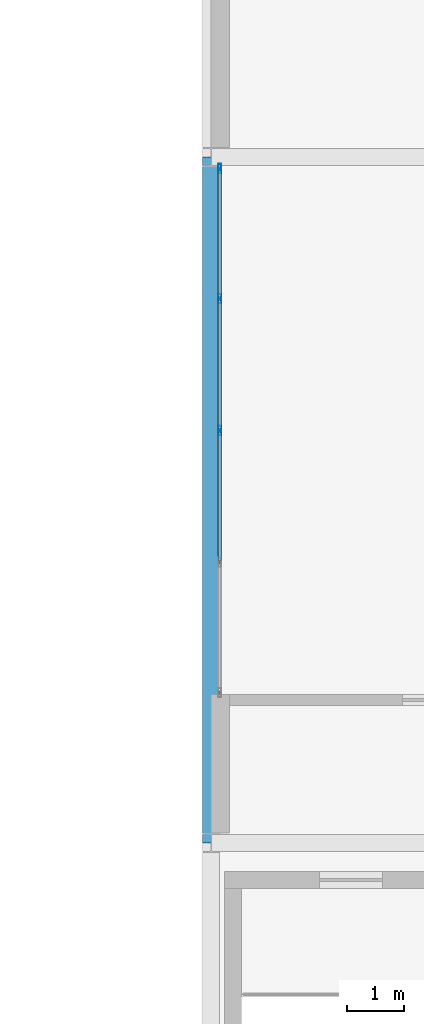
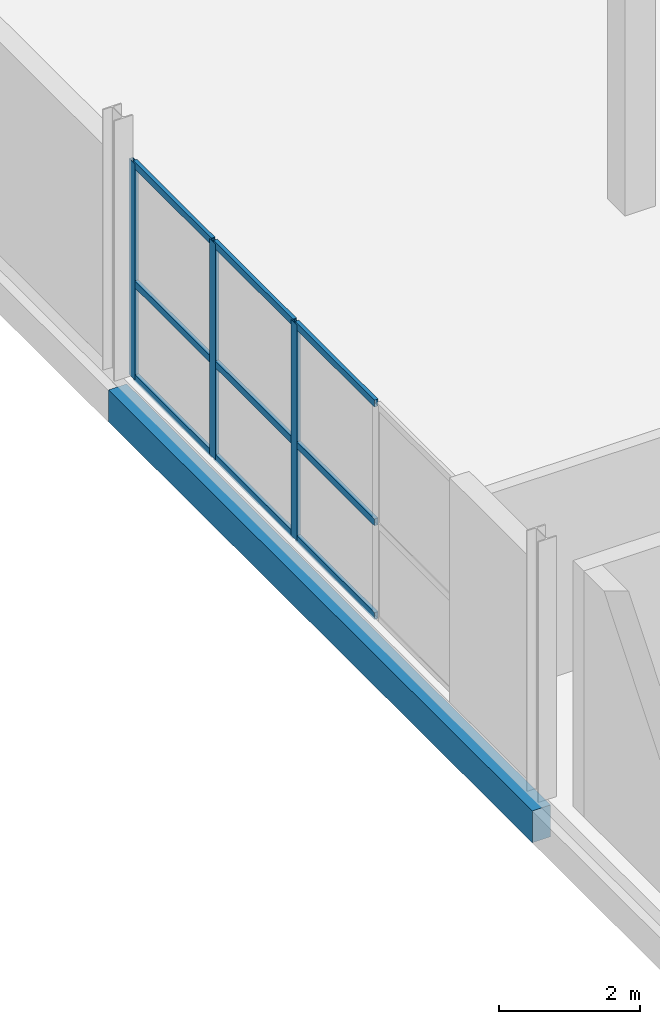
# One storey, part 59 of 103: 12 members, 1 beam, 1 element without a shape of its own.
"""IFC4 building model written with IfcOpenShell, lengths in metres."""

from ifc_helpers import new_model, si_unit, direction, frame, origin, origin_2d, place, context, subcontext, project, spatial, rectangle, hollow_rectangle, extrude, material, material_profile, profile_set, type_object, element, aggregate, save


model = new_model("IFC4")

# Units and contexts
model_context = context("Model", 3, precision=1e-05, world=origin(), true_north=direction((0.0, 1.0)))
body_context = subcontext(model_context, "Body", "Model", "MODEL_VIEW")
ifc_project = project(units=[si_unit("LENGTHUNIT", "METRE"), si_unit("AREAUNIT", "SQUARE_METRE"), si_unit("VOLUMEUNIT", "CUBIC_METRE"), si_unit("PLANEANGLEUNIT", "RADIAN"), si_unit("MASSUNIT", "GRAM", prefix="KILO")], contexts=[model_context])

# Site, building, storey
site_placement = place(None, origin())
site = spatial("IfcSite", under=ifc_project, at=site_placement, CompositionType="ELEMENT")
building_placement = place(site_placement, origin())
building = spatial("IfcBuilding", under=site, at=building_placement, Name="Veltarok Museum of Natural Sciences", CompositionType="ELEMENT")
storey_placement = place(building_placement, frame((0.0, 0.0, 21.89990234375)))
storey = spatial("IfcBuildingStorey", under=building, at=storey_placement, Name="L04", CompositionType="ELEMENT", Elevation=21.89990234375)

# Curtain wall, members
ifc_material_1 = material(Name="Low-iron triple insulated glass", Category="glass")
curtain_wall_type = type_object("IfcCurtainWallType", Name="Curtain Wall System CW-V5CW-L04-3-923x373 (CW-V5CW L04 923x373cm)", PredefinedType="NOTDEFINED", material=ifc_material_1)
curtain_wall_placement = place(storey_placement, origin())
curtain_wall = element("IfcCurtainWall", 1, at=curtain_wall_placement, inside=storey, type_object=curtain_wall_type, Name="Curtain Wall CW-V5CW-L04-3-923x373 CW-0183", PredefinedType="NOTDEFINED")
ifc_material_2 = material(Name="Thermally broken anodised aluminium", Category="aluminium")
ifc_material_profile_1 = material_profile(ifc_material_2, hollow_rectangle(XDim=0.06005859375, YDim=0.1201171875, WallThickness=0.0048828125, at=origin_2d()), Name="CW TRANSOM 60x120x5")
ifc_profile_set_1 = profile_set([ifc_material_profile_1], Name="Thermally broken anodised aluminium")
member_type_1 = type_object("IfcMemberType", Name="Curtain Wall Horizontal Transom 60x120x5", PredefinedType="USERDEFINED", material=ifc_profile_set_1)
member_1_placement = place(storey_placement, frame((132.550048828125, 40.9375, 0.028076171875), z_axis=(0.0, 1.0, 0.0), x_axis=(-1.0, 0.0, 0.0)))
member_1 = element("IfcMember", 2, at=member_1_placement, type_object=member_type_1, Name="CW-V5CW-L04-3-923x373 transom 2.1", ObjectType="TRANSOM", PredefinedType="USERDEFINED", context=body_context, shape_type="SweptSolid", body=[
    extrude(hollow_rectangle(XDim=0.06005859375, YDim=0.1201171875, WallThickness=0.0048828125, at=origin_2d()), origin(), (0.0, 0.0, 1.0), 2.24755859375),
])
member_2_placement = place(storey_placement, frame((132.550048828125, 40.9375, 1.648193359375), z_axis=(0.0, 1.0, 0.0), x_axis=(-1.0, 0.0, 0.0)))
member_2 = element("IfcMember", 3, at=member_2_placement, type_object=member_type_1, Name="CW-V5CW-L04-3-923x373 transom 2.2", ObjectType="TRANSOM", PredefinedType="USERDEFINED", context=body_context, shape_type="SweptSolid", body=[
    extrude(hollow_rectangle(XDim=0.06005859375, YDim=0.1201171875, WallThickness=0.0048828125, at=origin_2d()), origin(), (0.0, 0.0, 1.0), 2.24755859375),
])
member_3_placement = place(storey_placement, frame((132.550048828125, 40.9375, 3.7001953125), z_axis=(0.0, 1.0, 0.0), x_axis=(-1.0, 0.0, 0.0)))
member_3 = element("IfcMember", 4, at=member_3_placement, type_object=member_type_1, Name="CW-V5CW-L04-3-923x373 transom 2.3", ObjectType="TRANSOM", PredefinedType="USERDEFINED", context=body_context, shape_type="SweptSolid", body=[
    extrude(hollow_rectangle(XDim=0.06005859375, YDim=0.1201171875, WallThickness=0.0048828125, at=origin_2d()), origin(), (0.0, 0.0, 1.0), 2.24755859375),
])
member_4_placement = place(storey_placement, frame((132.550048828125, 43.2451171875, 0.028076171875), z_axis=(0.0, 1.0, 0.0), x_axis=(-1.0, 0.0, 0.0)))
member_4 = element("IfcMember", 5, at=member_4_placement, type_object=member_type_1, Name="CW-V5CW-L04-3-923x373 transom 3.1", ObjectType="TRANSOM", PredefinedType="USERDEFINED", context=body_context, shape_type="SweptSolid", body=[
    extrude(hollow_rectangle(XDim=0.06005859375, YDim=0.1201171875, WallThickness=0.0048828125, at=origin_2d()), origin(), (0.0, 0.0, 1.0), 2.247314453125),
])
member_5_placement = place(storey_placement, frame((132.550048828125, 43.2451171875, 1.648193359375), z_axis=(0.0, 1.0, 0.0), x_axis=(-1.0, 0.0, 0.0)))
member_5 = element("IfcMember", 6, at=member_5_placement, type_object=member_type_1, Name="CW-V5CW-L04-3-923x373 transom 3.2", ObjectType="TRANSOM", PredefinedType="USERDEFINED", context=body_context, shape_type="SweptSolid", body=[
    extrude(hollow_rectangle(XDim=0.06005859375, YDim=0.1201171875, WallThickness=0.0048828125, at=origin_2d()), origin(), (0.0, 0.0, 1.0), 2.247314453125),
])
member_6_placement = place(storey_placement, frame((132.550048828125, 43.2451171875, 3.7001953125), z_axis=(0.0, 1.0, 0.0), x_axis=(-1.0, 0.0, 0.0)))
member_6 = element("IfcMember", 7, at=member_6_placement, type_object=member_type_1, Name="CW-V5CW-L04-3-923x373 transom 3.3", ObjectType="TRANSOM", PredefinedType="USERDEFINED", context=body_context, shape_type="SweptSolid", body=[
    extrude(hollow_rectangle(XDim=0.06005859375, YDim=0.1201171875, WallThickness=0.0048828125, at=origin_2d()), origin(), (0.0, 0.0, 1.0), 2.247314453125),
])
member_7_placement = place(storey_placement, frame((132.550048828125, 45.552490234375, 0.028076171875), z_axis=(0.0, 1.0, 0.0), x_axis=(-1.0, 0.0, 0.0)))
member_7 = element("IfcMember", 8, at=member_7_placement, type_object=member_type_1, Name="CW-V5CW-L04-3-923x373 transom 4.1", ObjectType="TRANSOM", PredefinedType="USERDEFINED", context=body_context, shape_type="SweptSolid", body=[
    extrude(hollow_rectangle(XDim=0.06005859375, YDim=0.1201171875, WallThickness=0.0048828125, at=origin_2d()), origin(), (0.0, 0.0, 1.0), 2.217529296875),
])
member_8_placement = place(storey_placement, frame((132.550048828125, 45.552490234375, 1.648193359375), z_axis=(0.0, 1.0, 0.0), x_axis=(-1.0, 0.0, 0.0)))
member_8 = element("IfcMember", 9, at=member_8_placement, type_object=member_type_1, Name="CW-V5CW-L04-3-923x373 transom 4.2", ObjectType="TRANSOM", PredefinedType="USERDEFINED", context=body_context, shape_type="SweptSolid", body=[
    extrude(hollow_rectangle(XDim=0.06005859375, YDim=0.1201171875, WallThickness=0.0048828125, at=origin_2d()), origin(), (0.0, 0.0, 1.0), 2.217529296875),
])
member_9_placement = place(storey_placement, frame((132.550048828125, 45.552490234375, 3.7001953125), z_axis=(0.0, 1.0, 0.0), x_axis=(-1.0, 0.0, 0.0)))
member_9 = element("IfcMember", 10, at=member_9_placement, type_object=member_type_1, Name="CW-V5CW-L04-3-923x373 transom 4.3", ObjectType="TRANSOM", PredefinedType="USERDEFINED", context=body_context, shape_type="SweptSolid", body=[
    extrude(hollow_rectangle(XDim=0.06005859375, YDim=0.1201171875, WallThickness=0.0048828125, at=origin_2d()), origin(), (0.0, 0.0, 1.0), 2.217529296875),
])
ifc_material_profile_2 = material_profile(ifc_material_2, hollow_rectangle(XDim=0.06005859375, YDim=0.159912109375, WallThickness=0.0048828125, at=origin_2d()), Name="CW MULLION 60x160x5")
ifc_profile_set_2 = profile_set([ifc_material_profile_2], Name="Thermally broken anodised aluminium")
member_type_2 = type_object("IfcMemberType", Name="Curtain Wall Vertical Mullion 60x160x5", PredefinedType="MULLION", material=ifc_profile_set_2)
member_10_placement = place(storey_placement, frame((132.550048828125, 43.215087890625, -0.001953125), z_axis=(0.0, 0.0, 1.0), x_axis=(-1.0, 0.0, 0.0)))
member_10 = element("IfcMember", 11, at=member_10_placement, type_object=member_type_2, Name="CW-V5CW-L04-3-923x373 mullion 3", PredefinedType="MULLION", context=body_context, shape_type="SweptSolid", body=[
    extrude(hollow_rectangle(XDim=0.06005859375, YDim=0.159912109375, WallThickness=0.0048828125, at=origin_2d()), origin(), (0.0, 0.0, 1.0), 3.73193359375),
])
member_11_placement = place(storey_placement, frame((132.550048828125, 45.5224609375, -0.001953125), z_axis=(0.0, 0.0, 1.0), x_axis=(-1.0, 0.0, 0.0)))
member_11 = element("IfcMember", 12, at=member_11_placement, type_object=member_type_2, Name="CW-V5CW-L04-3-923x373 mullion 4", PredefinedType="MULLION", context=body_context, shape_type="SweptSolid", body=[
    extrude(hollow_rectangle(XDim=0.06005859375, YDim=0.159912109375, WallThickness=0.0048828125, at=origin_2d()), origin(), (0.0, 0.0, 1.0), 3.73193359375),
])
member_12_placement = place(storey_placement, frame((132.550048828125, 47.800048828125, -0.001953125), z_axis=(0.0, 0.0, 1.0), x_axis=(-1.0, 0.0, 0.0)))
member_12 = element("IfcMember", 13, at=member_12_placement, type_object=member_type_2, Name="CW-V5CW-L04-3-923x373 mullion 5", PredefinedType="MULLION", context=body_context, shape_type="SweptSolid", body=[
    extrude(hollow_rectangle(XDim=0.06005859375, YDim=0.159912109375, WallThickness=0.0048828125, at=origin_2d()), origin(), (0.0, 0.0, 1.0), 3.73193359375),
])
aggregate(curtain_wall, [member_10, member_11, member_12, member_1, member_2, member_3, member_4, member_5, member_6, member_7, member_8, member_9])

# Beam
ifc_material_3 = material(Name="Precast concrete C40/50", Category="concrete")
ifc_material_profile_3 = material_profile(ifc_material_3, rectangle(XDim=0.300048828125, YDim=0.550048828125, at=origin_2d()), Name="RC 300x550")
ifc_profile_set_3 = profile_set([ifc_material_profile_3], Name="Precast concrete C40/50")
beam_type = type_object("IfcBeamType", Name="East Wing Precast Spandrel RC 300x550", PredefinedType="SPANDREL", material=ifc_profile_set_3)
beam_placement = place(storey_placement, frame((132.39990234375, 36.0, -0.52490234375), z_axis=(0.0, 1.0, 0.0), x_axis=(-1.0, 0.0, 0.0)))
element("IfcBeam", 14, at=beam_placement, inside=storey, type_object=beam_type, Name="Beam BM-SP02 L04 16/E-F", PredefinedType="SPANDREL", context=body_context, shape_type="SweptSolid", body=[
    extrude(rectangle(XDim=0.300048828125, YDim=0.550048828125, at=origin_2d()), origin(), (0.0, 0.0, 1.0), 12.0),
])

save(model, "model.ifc")
